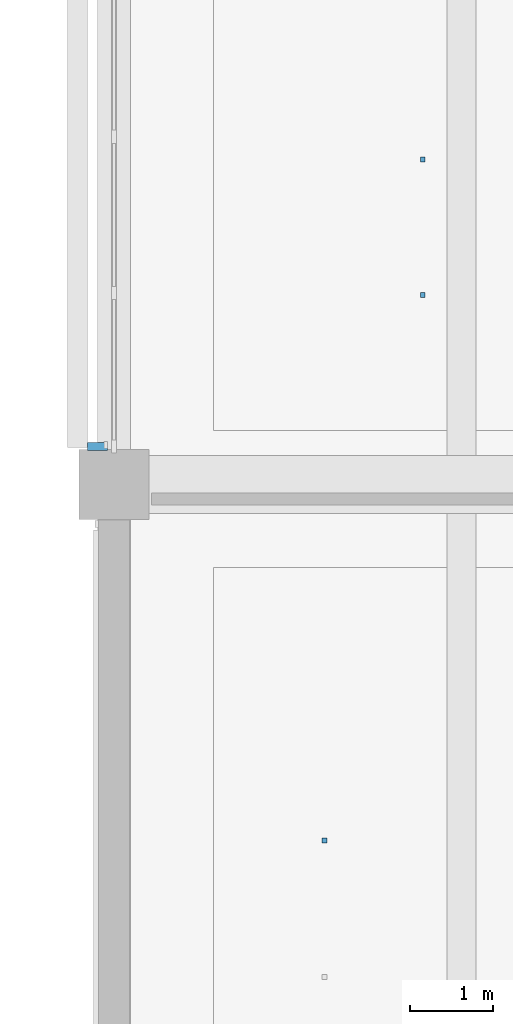
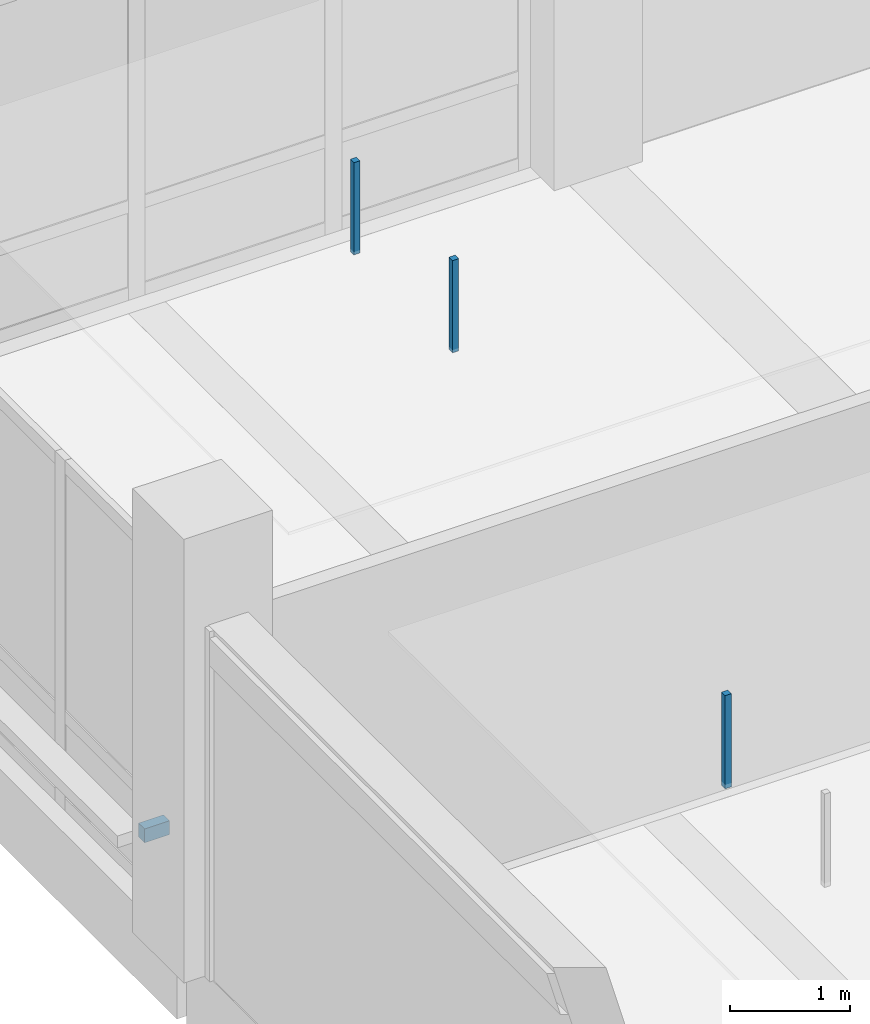
# One storey, part 17 of 39: 4 discrete accessories.
"""IFC4 building model written with IfcOpenShell, lengths in metres."""

from ifc_helpers import new_model, si_unit, direction, frame, origin, origin_2d, place, context, subcontext, project, spatial, rectangle, extrude, material, type_object, element, save


model = new_model("IFC4")

# Units and contexts
model_context = context("Model", 3, precision=1e-05, world=origin(), true_north=direction((0.0, 1.0)))
body_context = subcontext(model_context, "Body", "Model", "MODEL_VIEW")
ifc_project = project(units=[si_unit("LENGTHUNIT", "METRE"), si_unit("AREAUNIT", "SQUARE_METRE"), si_unit("VOLUMEUNIT", "CUBIC_METRE"), si_unit("PLANEANGLEUNIT", "RADIAN"), si_unit("MASSUNIT", "GRAM", prefix="KILO")], contexts=[model_context])

# Site, building, storey
site_placement = place(None, origin())
site = spatial("IfcSite", under=ifc_project, at=site_placement, CompositionType="ELEMENT")
building_placement = place(site_placement, origin())
building = spatial("IfcBuilding", under=site, at=building_placement, Name="Telukmera Botanical Conservatory", CompositionType="ELEMENT")
storey_placement = place(building_placement, frame((0.0, 0.0, 19.5)))
storey = spatial("IfcBuildingStorey", under=building, at=storey_placement, Name="L04", CompositionType="ELEMENT", Elevation=19.5)

# Discrete accessories
ifc_material = material(Name="Steel S355", Category="steel")
discrete_accessory_type_1 = type_object("IfcDiscreteAccessoryType", Name="ACC-CEIL-HGR", PredefinedType="BRACKET", material=ifc_material)
discrete_accessory_1_placement = place(storey_placement, frame((52.94189453125, 30.10009765625, 3.31005859375), z_axis=(0.0, 0.0, 1.0), x_axis=(1.0, 0.0, 0.0)))
element("IfcDiscreteAccessory", 1, at=discrete_accessory_1_placement, inside=storey, type_object=discrete_accessory_type_1, Name="L04 Suspended Ceiling Hanger Rod 018-2", PredefinedType="BRACKET", context=body_context, shape_type="SweptSolid", body=[
    extrude(rectangle(XDim=0.06005859375, YDim=0.06005859375, at=origin_2d()), origin(), (0.0, 0.0, 1.0), 0.945068359375),
])
for number, where, z_axis, x_axis, name in (
    (2, (54.1298828125, 36.6875, 3.320068359375), (0.0, 0.0, 1.0), (1.0, 0.0, 0.0), "L04 Suspended Ceiling Hanger Rod 035-1"),
    (3, (54.1298828125, 38.324951171875, 3.320068359375), (0.0, 0.0, 1.0), (1.0, 0.0, 0.0), "L04 Suspended Ceiling Hanger Rod 035-2"),
):
    element("IfcDiscreteAccessory", number, at=place(storey_placement, frame(where, z_axis=z_axis, x_axis=x_axis)), inside=storey, type_object=discrete_accessory_type_1, Name=name, PredefinedType="BRACKET", context=body_context, shape_type="SweptSolid", body=[
        extrude(rectangle(XDim=0.06005859375, YDim=0.06005859375, at=origin_2d()), origin(), (0.0, 0.0, 1.0), 0.93505859375),
    ])
discrete_accessory_type_2 = type_object("IfcDiscreteAccessoryType", Name="Structural Steel Facade Outrigger Fin Bracket", PredefinedType="BRACKET", material=ifc_material)
discrete_accessory_2_placement = place(storey_placement, frame((50.199951171875, 34.859619140625, 0.8798828125), z_axis=(0.0, 0.0, 1.0), x_axis=(0.0, 1.0, 0.0)))
element("IfcDiscreteAccessory", 4, at=discrete_accessory_2_placement, inside=storey, type_object=discrete_accessory_type_2, Name="Facade Outrigger Bracket V4:L04:W4 A", PredefinedType="BRACKET", context=body_context, shape_type="SweptSolid", body=[
    extrude(rectangle(XDim=0.10009765625, YDim=0.239990234375, at=origin_2d()), origin(), (0.0, 0.0, 1.0), 0.139892578125),
])

save(model, "model.ifc")
